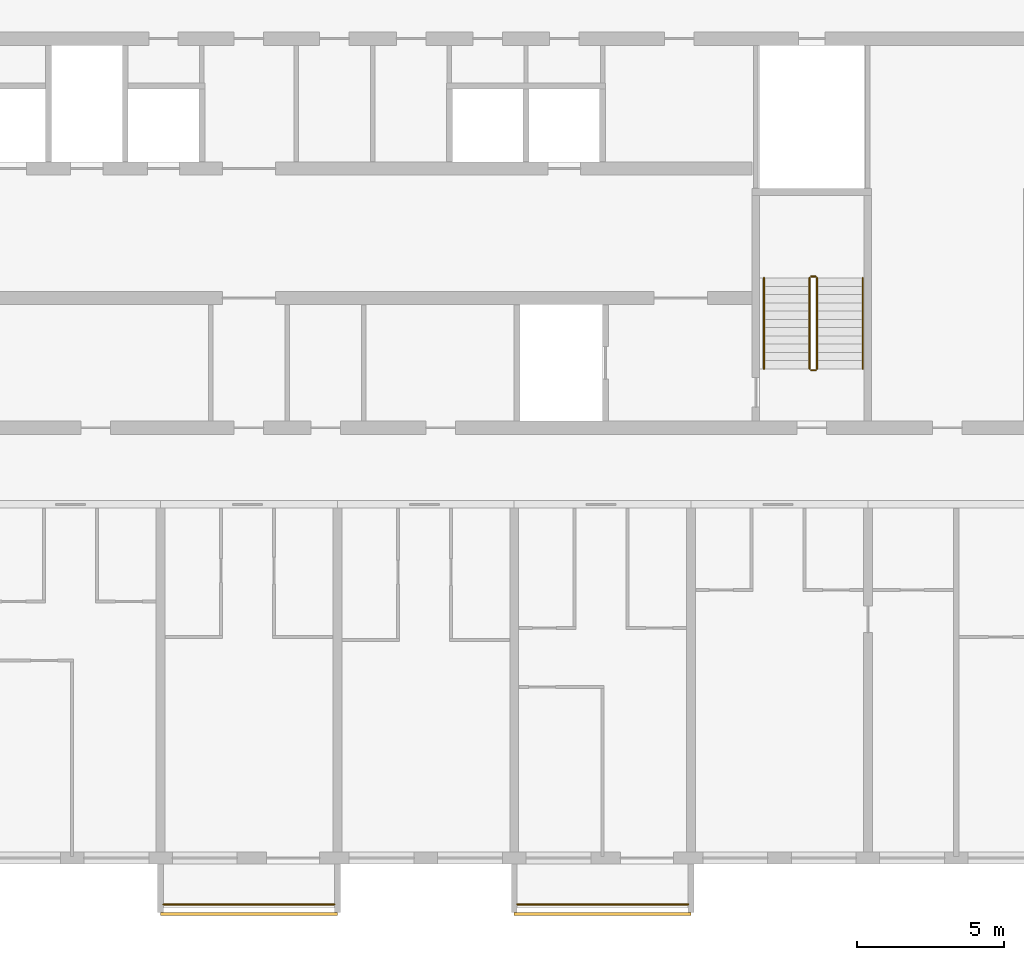
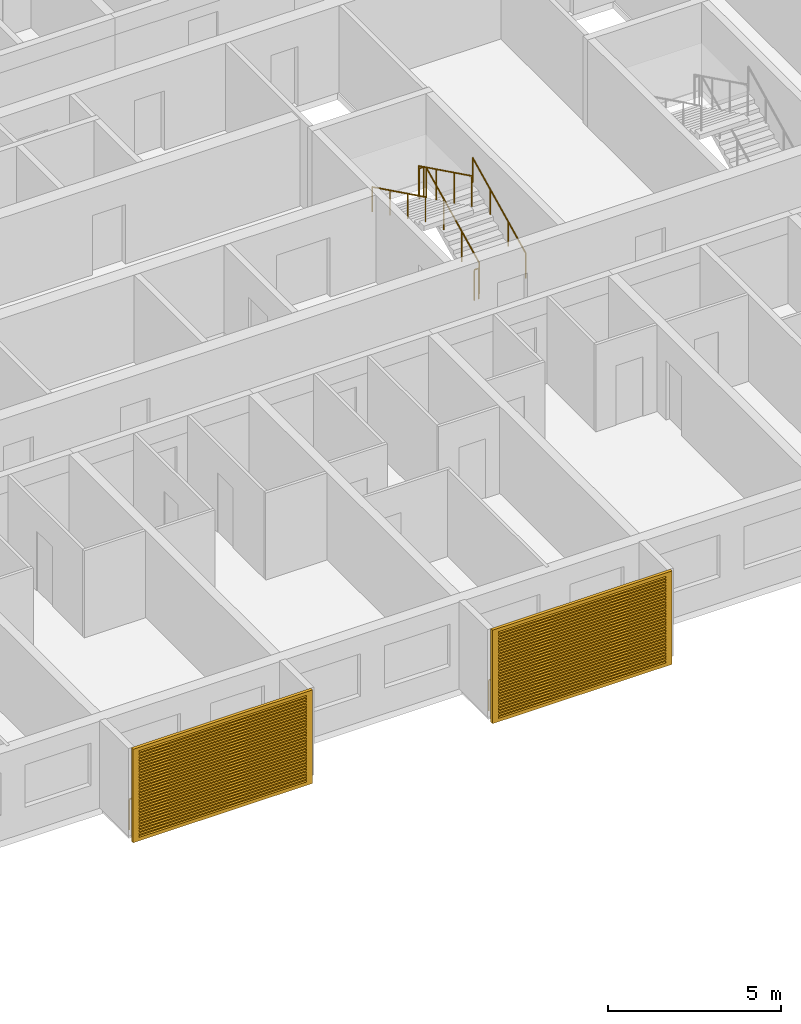
# One storey, part 15 of 31: 8 railings, 2 shading devices.
"""IFC4 building model written with IfcOpenShell, lengths in metres."""

from ifc_helpers import new_model, si_unit, direction, frame, origin, origin_2d, place, context, subcontext, project, spatial, polyline, circle, outline, extrude, source, transform, mapped, material, material_profile, profile_set, type_object, element, save


model = new_model("IFC4")

# Units and contexts
model_context = context("Model", 3, precision=1e-05, world=origin(), true_north=direction((0.0, 1.0)))
body_context = subcontext(model_context, "Body", "Model", "MODEL_VIEW")
ifc_project = project(units=[si_unit("LENGTHUNIT", "METRE"), si_unit("AREAUNIT", "SQUARE_METRE"), si_unit("VOLUMEUNIT", "CUBIC_METRE"), si_unit("PLANEANGLEUNIT", "RADIAN"), si_unit("MASSUNIT", "GRAM", prefix="KILO")], contexts=[model_context])

# Site, building, storey
site_placement = place(None, origin())
site = spatial("IfcSite", under=ifc_project, at=site_placement, CompositionType="ELEMENT")
building_placement = place(site_placement, origin())
building = spatial("IfcBuilding", under=site, at=building_placement, Name="Poui Terraces", CompositionType="ELEMENT")
storey_placement = place(building_placement, frame((0.0, 0.0, 142.199951171875)))
storey = spatial("IfcBuildingStorey", under=building, at=storey_placement, Name="L39", CompositionType="ELEMENT", Elevation=142.199951171875)

# Railings
ifc_material_1 = material(Name="Painted steel fretwork", Category="steel")
railing_type_1 = type_object("IfcRailingType", Name="BALCONY GUARD 1100", PredefinedType="GUARDRAIL", material=ifc_material_1)
for number, where, name in (
    (1, (48.10009765625, -1.570068359375, 0.0), "BALCONY GUARD"),
    (2, (60.10009765625, -1.570068359375, 0.0), "BALCONY GUARD"),
):
    element("IfcRailing", number, at=place(storey_placement, frame(where)), inside=storey, type_object=railing_type_1, Name=name, PredefinedType="GUARDRAIL", context=body_context, shape_type="SweptSolid", body=[
        extrude(circle(Radius=0.02392578125, at=origin_2d()), frame((0.0, 0.0, 1.076171875), z_axis=(1.0, 0.0, 0.0), x_axis=(0.0, 1.0, 0.0)), (0.0, 0.0, 1.0), 5.7998046875),
        extrude(circle(Radius=0.02099609375, at=origin_2d()), origin(), (0.0, 0.0, 1.0), 1.052001953125),
        extrude(circle(Radius=0.02099609375, at=origin_2d()), frame((0.966552734375, 0.0, 0.0)), (0.0, 0.0, 1.0), 1.052001953125),
        extrude(circle(Radius=0.02099609375, at=origin_2d()), frame((1.933349609375, 0.0, 0.0)), (0.0, 0.0, 1.0), 1.052001953125),
        extrude(circle(Radius=0.02099609375, at=origin_2d()), frame((2.89990234375, 0.0, 0.0)), (0.0, 0.0, 1.0), 1.052001953125),
        extrude(circle(Radius=0.02099609375, at=origin_2d()), frame((3.866455078125, 0.0, 0.0)), (0.0, 0.0, 1.0), 1.052001953125),
        extrude(circle(Radius=0.02099609375, at=origin_2d()), frame((4.833251953125, 0.0, 0.0)), (0.0, 0.0, 1.0), 1.052001953125),
        extrude(circle(Radius=0.02099609375, at=origin_2d()), frame((5.7998046875, 0.0, 0.0)), (0.0, 0.0, 1.0), 1.052001953125),
    ])
ifc_material_2 = material(Name="Galvanised steel balustrade", Category="steel")
railing_type_2 = type_object("IfcRailingType", Name="STAIR GUARD 1100", PredefinedType="GUARDRAIL", material=ifc_material_2)
railing_1_placement = place(storey_placement, frame((70.27490234375, 16.60009765625, 0.137451171875)))
element("IfcRailing", 3, at=railing_1_placement, inside=storey, type_object=railing_type_2, Name="L39 ST-CE stair guard 1", PredefinedType="GUARDRAIL", context=body_context, shape_type="SweptSolid", body=[
    extrude(circle(Radius=0.02392578125, at=origin_2d()), frame((0.0, 0.0, 1.076171875), z_axis=(0.0, 0.897578036475, 0.440855609512), x_axis=(-1.0, 0.0, 0.0)), (0.0, 0.0, 1.0), 3.43115234375),
    extrude(circle(Radius=0.02099609375, at=origin_2d()), origin(), (0.0, 0.0, 1.0), 1.052001953125),
    extrude(circle(Radius=0.02099609375, at=origin_2d()), frame((0.0, 1.026611328125, 0.504150390625)), (0.0, 0.0, 1.0), 1.052001953125),
    extrude(circle(Radius=0.02099609375, at=origin_2d()), frame((0.0, 2.05322265625, 1.008544921875)), (0.0, 0.0, 1.0), 1.052001953125),
    extrude(circle(Radius=0.02099609375, at=origin_2d()), frame((0.0, 3.079833984375, 1.5126953125)), (0.0, 0.0, 1.0), 1.052001953125),
])
railing_2_placement = place(storey_placement, frame((70.22509765625, 19.72998046875, 1.650146484375)))
element("IfcRailing", 4, at=railing_2_placement, inside=storey, type_object=railing_type_2, Name="L39 ST-CE stair guard 2", PredefinedType="GUARDRAIL", context=body_context, shape_type="SweptSolid", body=[
    extrude(circle(Radius=0.02392578125, at=origin_2d()), frame((0.0, 0.0, 1.076171875), z_axis=(-1.0, 0.0, 0.0), x_axis=(0.0, -1.0, 0.0)), (0.0, 0.0, 1.0), 0.150146484375),
    extrude(circle(Radius=0.02099609375, at=origin_2d()), origin(), (0.0, 0.0, 1.0), 1.052001953125),
    extrude(circle(Radius=0.02099609375, at=origin_2d()), frame((-0.150146484375, 0.0, 0.0)), (0.0, 0.0, 1.0), 1.052001953125),
])
railing_3_placement = place(storey_placement, frame((70.02490234375, 19.679931640625, 1.78759765625)))
element("IfcRailing", 5, at=railing_3_placement, inside=storey, type_object=railing_type_2, Name="L39 ST-CE stair guard 3", PredefinedType="GUARDRAIL", context=body_context, shape_type="SweptSolid", body=[
    extrude(circle(Radius=0.02392578125, at=origin_2d()), frame((0.0, 0.0, 1.076171875), z_axis=(0.0, -0.897606190399, 0.440798283751), x_axis=(1.0, 0.0, 0.0)), (0.0, 0.0, 1.0), 3.43115234375),
    extrude(circle(Radius=0.02099609375, at=origin_2d()), origin(), (0.0, 0.0, 1.0), 1.052001953125),
    extrude(circle(Radius=0.02099609375, at=origin_2d()), frame((0.0, -1.026611328125, 0.504150390625)), (0.0, 0.0, 1.0), 1.052001953125),
    extrude(circle(Radius=0.02099609375, at=origin_2d()), frame((0.0, -2.05322265625, 1.00830078125)), (0.0, 0.0, 1.0), 1.052001953125),
    extrude(circle(Radius=0.02099609375, at=origin_2d()), frame((0.0, -3.079833984375, 1.512451171875)), (0.0, 0.0, 1.0), 1.052001953125),
])
railing_4_placement = place(storey_placement, frame((70.22509765625, 16.550048828125, 0.0)))
element("IfcRailing", 6, at=railing_4_placement, inside=storey, type_object=railing_type_2, Name="L39 ST-CE stair guard 4", PredefinedType="GUARDRAIL", context=body_context, shape_type="SweptSolid", body=[
    extrude(circle(Radius=0.02392578125, at=origin_2d()), frame((0.0, 0.0, 1.076171875), z_axis=(-1.0, 0.0, 0.0), x_axis=(0.0, -1.0, 0.0)), (0.0, 0.0, 1.0), 0.150146484375),
    extrude(circle(Radius=0.02099609375, at=origin_2d()), origin(), (0.0, 0.0, 1.0), 1.052001953125),
    extrude(circle(Radius=0.02099609375, at=origin_2d()), frame((-0.150146484375, 0.0, 0.0)), (0.0, 0.0, 1.0), 1.052001953125),
])
ifc_material_3 = material(Name="Stainless steel handrail", Category="steel")
railing_type_3 = type_object("IfcRailingType", Name="STAIR HANDRAIL 900", PredefinedType="HANDRAIL", material=ifc_material_3)
railing_5_placement = place(storey_placement, frame((71.824951171875, 16.60009765625, 0.137451171875)))
element("IfcRailing", 7, at=railing_5_placement, inside=storey, type_object=railing_type_3, Name="L39 ST-CE stair handrail 1", PredefinedType="HANDRAIL", context=body_context, shape_type="SweptSolid", body=[
    extrude(circle(Radius=0.02392578125, at=origin_2d()), frame((0.0, 0.0, 0.8759765625), z_axis=(0.0, 0.897578036475, 0.440855609512), x_axis=(-1.0, 0.0, 0.0)), (0.0, 0.0, 1.0), 3.43115234375),
    extrude(circle(Radius=0.02099609375, at=origin_2d()), origin(), (0.0, 0.0, 1.0), 0.851806640625),
    extrude(circle(Radius=0.02099609375, at=origin_2d()), frame((0.0, 1.026611328125, 0.504150390625)), (0.0, 0.0, 1.0), 0.851806640625),
    extrude(circle(Radius=0.02099609375, at=origin_2d()), frame((0.0, 2.05322265625, 1.008544921875)), (0.0, 0.0, 1.0), 0.851806640625),
    extrude(circle(Radius=0.02099609375, at=origin_2d()), frame((0.0, 3.079833984375, 1.5126953125)), (0.0, 0.0, 1.0), 0.851806640625),
])
railing_6_placement = place(storey_placement, frame((68.47509765625, 19.679931640625, 1.78759765625)))
element("IfcRailing", 8, at=railing_6_placement, inside=storey, type_object=railing_type_3, Name="L39 ST-CE stair handrail 2", PredefinedType="HANDRAIL", context=body_context, shape_type="SweptSolid", body=[
    extrude(circle(Radius=0.02392578125, at=origin_2d()), frame((0.0, 0.0, 0.8759765625), z_axis=(0.0, -0.897606190399, 0.440798283751), x_axis=(1.0, 0.0, 0.0)), (0.0, 0.0, 1.0), 3.43115234375),
    extrude(circle(Radius=0.02099609375, at=origin_2d()), origin(), (0.0, 0.0, 1.0), 0.851806640625),
    extrude(circle(Radius=0.02099609375, at=origin_2d()), frame((0.0, -1.026611328125, 0.504150390625)), (0.0, 0.0, 1.0), 0.851806640625),
    extrude(circle(Radius=0.02099609375, at=origin_2d()), frame((0.0, -2.05322265625, 1.00830078125)), (0.0, 0.0, 1.0), 0.851806640625),
    extrude(circle(Radius=0.02099609375, at=origin_2d()), frame((0.0, -3.079833984375, 1.512451171875)), (0.0, 0.0, 1.0), 0.851806640625),
])

# Shading devices
ifc_material_4 = material(Name="Aluminium louvre", Category="aluminium")
ifc_material_profile = material_profile(ifc_material_4, outline(polyline([(-3.0, -1.64990234375), (3.0, -1.64990234375), (3.0, 1.64990234375), (-3.0, 1.64990234375), (-3.0, -1.64990234375)]), holes=[polyline([(-2.800048828125, -1.530029296875), (2.800048828125, -1.530029296875), (2.800048828125, -1.469970703125), (-2.800048828125, -1.469970703125), (-2.800048828125, -1.530029296875)]), polyline([(-2.800048828125, -1.429931640625), (2.800048828125, -1.429931640625), (2.800048828125, -1.3701171875), (-2.800048828125, -1.3701171875), (-2.800048828125, -1.429931640625)]), polyline([(-2.800048828125, -1.330078125), (2.800048828125, -1.330078125), (2.800048828125, -1.27001953125), (-2.800048828125, -1.27001953125), (-2.800048828125, -1.330078125)]), polyline([(-2.800048828125, -1.22998046875), (2.800048828125, -1.22998046875), (2.800048828125, -1.169921875), (-2.800048828125, -1.169921875), (-2.800048828125, -1.22998046875)]), polyline([(-2.800048828125, -1.1298828125), (2.800048828125, -1.1298828125), (2.800048828125, -1.070068359375), (-2.800048828125, -1.070068359375), (-2.800048828125, -1.1298828125)]), polyline([(-2.800048828125, -1.030029296875), (2.800048828125, -1.030029296875), (2.800048828125, -0.969970703125), (-2.800048828125, -0.969970703125), (-2.800048828125, -1.030029296875)]), polyline([(-2.800048828125, -0.929931640625), (2.800048828125, -0.929931640625), (2.800048828125, -0.8701171875), (-2.800048828125, -0.8701171875), (-2.800048828125, -0.929931640625)]), polyline([(-2.800048828125, -0.830078125), (2.800048828125, -0.830078125), (2.800048828125, -0.77001953125), (-2.800048828125, -0.77001953125), (-2.800048828125, -0.830078125)]), polyline([(-2.800048828125, -0.72998046875), (2.800048828125, -0.72998046875), (2.800048828125, -0.669921875), (-2.800048828125, -0.669921875), (-2.800048828125, -0.72998046875)]), polyline([(-2.800048828125, -0.6298828125), (2.800048828125, -0.6298828125), (2.800048828125, -0.570068359375), (-2.800048828125, -0.570068359375), (-2.800048828125, -0.6298828125)]), polyline([(-2.800048828125, -0.530029296875), (2.800048828125, -0.530029296875), (2.800048828125, -0.469970703125), (-2.800048828125, -0.469970703125), (-2.800048828125, -0.530029296875)]), polyline([(-2.800048828125, -0.429931640625), (2.800048828125, -0.429931640625), (2.800048828125, -0.3701171875), (-2.800048828125, -0.3701171875), (-2.800048828125, -0.429931640625)]), polyline([(-2.800048828125, -0.330078125), (2.800048828125, -0.330078125), (2.800048828125, -0.27001953125), (-2.800048828125, -0.27001953125), (-2.800048828125, -0.330078125)]), polyline([(-2.800048828125, -0.22998046875), (2.800048828125, -0.22998046875), (2.800048828125, -0.169921875), (-2.800048828125, -0.169921875), (-2.800048828125, -0.22998046875)]), polyline([(-2.800048828125, -0.1298828125), (2.800048828125, -0.1298828125), (2.800048828125, -0.070068359375), (-2.800048828125, -0.070068359375), (-2.800048828125, -0.1298828125)]), polyline([(-2.800048828125, -0.030029296875), (2.800048828125, -0.030029296875), (2.800048828125, 0.030029296875), (-2.800048828125, 0.030029296875), (-2.800048828125, -0.030029296875)]), polyline([(-2.800048828125, 0.070068359375), (2.800048828125, 0.070068359375), (2.800048828125, 0.1298828125), (-2.800048828125, 0.1298828125), (-2.800048828125, 0.070068359375)]), polyline([(-2.800048828125, 0.169921875), (2.800048828125, 0.169921875), (2.800048828125, 0.22998046875), (-2.800048828125, 0.22998046875), (-2.800048828125, 0.169921875)]), polyline([(-2.800048828125, 0.27001953125), (2.800048828125, 0.27001953125), (2.800048828125, 0.330078125), (-2.800048828125, 0.330078125), (-2.800048828125, 0.27001953125)]), polyline([(-2.800048828125, 0.3701171875), (2.800048828125, 0.3701171875), (2.800048828125, 0.429931640625), (-2.800048828125, 0.429931640625), (-2.800048828125, 0.3701171875)]), polyline([(-2.800048828125, 0.469970703125), (2.800048828125, 0.469970703125), (2.800048828125, 0.530029296875), (-2.800048828125, 0.530029296875), (-2.800048828125, 0.469970703125)]), polyline([(-2.800048828125, 0.570068359375), (2.800048828125, 0.570068359375), (2.800048828125, 0.6298828125), (-2.800048828125, 0.6298828125), (-2.800048828125, 0.570068359375)]), polyline([(-2.800048828125, 0.669921875), (2.800048828125, 0.669921875), (2.800048828125, 0.72998046875), (-2.800048828125, 0.72998046875), (-2.800048828125, 0.669921875)]), polyline([(-2.800048828125, 0.77001953125), (2.800048828125, 0.77001953125), (2.800048828125, 0.830078125), (-2.800048828125, 0.830078125), (-2.800048828125, 0.77001953125)]), polyline([(-2.800048828125, 0.8701171875), (2.800048828125, 0.8701171875), (2.800048828125, 0.929931640625), (-2.800048828125, 0.929931640625), (-2.800048828125, 0.8701171875)]), polyline([(-2.800048828125, 0.969970703125), (2.800048828125, 0.969970703125), (2.800048828125, 1.030029296875), (-2.800048828125, 1.030029296875), (-2.800048828125, 0.969970703125)]), polyline([(-2.800048828125, 1.070068359375), (2.800048828125, 1.070068359375), (2.800048828125, 1.1298828125), (-2.800048828125, 1.1298828125), (-2.800048828125, 1.070068359375)]), polyline([(-2.800048828125, 1.169921875), (2.800048828125, 1.169921875), (2.800048828125, 1.22998046875), (-2.800048828125, 1.22998046875), (-2.800048828125, 1.169921875)]), polyline([(-2.800048828125, 1.27001953125), (2.800048828125, 1.27001953125), (2.800048828125, 1.330078125), (-2.800048828125, 1.330078125), (-2.800048828125, 1.27001953125)]), polyline([(-2.800048828125, 1.3701171875), (2.800048828125, 1.3701171875), (2.800048828125, 1.429931640625), (-2.800048828125, 1.429931640625), (-2.800048828125, 1.3701171875)]), polyline([(-2.800048828125, 1.469970703125), (2.800048828125, 1.469970703125), (2.800048828125, 1.530029296875), (-2.800048828125, 1.530029296875), (-2.800048828125, 1.469970703125)])]), Name="JALOUSIE LOUVRE SHUTTER 6000X3300")
ifc_profile_set = profile_set([ifc_material_profile], Name="Aluminium louvre")
shading_device_type = type_object("IfcShadingDeviceType", Name="JALOUSIE LOUVRE SHUTTER 6000X3300", PredefinedType="JALOUSIE", material=ifc_profile_set)
shared_shape = source(origin(), body_context, "Body", "SweptSolid", [
    extrude(outline(polyline([(-3.0, -1.64990234375), (3.0, -1.64990234375), (3.0, 1.64990234375), (-3.0, 1.64990234375), (-3.0, -1.64990234375)]), holes=[polyline([(-2.800048828125, -1.530029296875), (2.800048828125, -1.530029296875), (2.800048828125, -1.469970703125), (-2.800048828125, -1.469970703125), (-2.800048828125, -1.530029296875)]), polyline([(-2.800048828125, -1.429931640625), (2.800048828125, -1.429931640625), (2.800048828125, -1.3701171875), (-2.800048828125, -1.3701171875), (-2.800048828125, -1.429931640625)]), polyline([(-2.800048828125, -1.330078125), (2.800048828125, -1.330078125), (2.800048828125, -1.27001953125), (-2.800048828125, -1.27001953125), (-2.800048828125, -1.330078125)]), polyline([(-2.800048828125, -1.22998046875), (2.800048828125, -1.22998046875), (2.800048828125, -1.169921875), (-2.800048828125, -1.169921875), (-2.800048828125, -1.22998046875)]), polyline([(-2.800048828125, -1.1298828125), (2.800048828125, -1.1298828125), (2.800048828125, -1.070068359375), (-2.800048828125, -1.070068359375), (-2.800048828125, -1.1298828125)]), polyline([(-2.800048828125, -1.030029296875), (2.800048828125, -1.030029296875), (2.800048828125, -0.969970703125), (-2.800048828125, -0.969970703125), (-2.800048828125, -1.030029296875)]), polyline([(-2.800048828125, -0.929931640625), (2.800048828125, -0.929931640625), (2.800048828125, -0.8701171875), (-2.800048828125, -0.8701171875), (-2.800048828125, -0.929931640625)]), polyline([(-2.800048828125, -0.830078125), (2.800048828125, -0.830078125), (2.800048828125, -0.77001953125), (-2.800048828125, -0.77001953125), (-2.800048828125, -0.830078125)]), polyline([(-2.800048828125, -0.72998046875), (2.800048828125, -0.72998046875), (2.800048828125, -0.669921875), (-2.800048828125, -0.669921875), (-2.800048828125, -0.72998046875)]), polyline([(-2.800048828125, -0.6298828125), (2.800048828125, -0.6298828125), (2.800048828125, -0.570068359375), (-2.800048828125, -0.570068359375), (-2.800048828125, -0.6298828125)]), polyline([(-2.800048828125, -0.530029296875), (2.800048828125, -0.530029296875), (2.800048828125, -0.469970703125), (-2.800048828125, -0.469970703125), (-2.800048828125, -0.530029296875)]), polyline([(-2.800048828125, -0.429931640625), (2.800048828125, -0.429931640625), (2.800048828125, -0.3701171875), (-2.800048828125, -0.3701171875), (-2.800048828125, -0.429931640625)]), polyline([(-2.800048828125, -0.330078125), (2.800048828125, -0.330078125), (2.800048828125, -0.27001953125), (-2.800048828125, -0.27001953125), (-2.800048828125, -0.330078125)]), polyline([(-2.800048828125, -0.22998046875), (2.800048828125, -0.22998046875), (2.800048828125, -0.169921875), (-2.800048828125, -0.169921875), (-2.800048828125, -0.22998046875)]), polyline([(-2.800048828125, -0.1298828125), (2.800048828125, -0.1298828125), (2.800048828125, -0.070068359375), (-2.800048828125, -0.070068359375), (-2.800048828125, -0.1298828125)]), polyline([(-2.800048828125, -0.030029296875), (2.800048828125, -0.030029296875), (2.800048828125, 0.030029296875), (-2.800048828125, 0.030029296875), (-2.800048828125, -0.030029296875)]), polyline([(-2.800048828125, 0.070068359375), (2.800048828125, 0.070068359375), (2.800048828125, 0.1298828125), (-2.800048828125, 0.1298828125), (-2.800048828125, 0.070068359375)]), polyline([(-2.800048828125, 0.169921875), (2.800048828125, 0.169921875), (2.800048828125, 0.22998046875), (-2.800048828125, 0.22998046875), (-2.800048828125, 0.169921875)]), polyline([(-2.800048828125, 0.27001953125), (2.800048828125, 0.27001953125), (2.800048828125, 0.330078125), (-2.800048828125, 0.330078125), (-2.800048828125, 0.27001953125)]), polyline([(-2.800048828125, 0.3701171875), (2.800048828125, 0.3701171875), (2.800048828125, 0.429931640625), (-2.800048828125, 0.429931640625), (-2.800048828125, 0.3701171875)]), polyline([(-2.800048828125, 0.469970703125), (2.800048828125, 0.469970703125), (2.800048828125, 0.530029296875), (-2.800048828125, 0.530029296875), (-2.800048828125, 0.469970703125)]), polyline([(-2.800048828125, 0.570068359375), (2.800048828125, 0.570068359375), (2.800048828125, 0.6298828125), (-2.800048828125, 0.6298828125), (-2.800048828125, 0.570068359375)]), polyline([(-2.800048828125, 0.669921875), (2.800048828125, 0.669921875), (2.800048828125, 0.72998046875), (-2.800048828125, 0.72998046875), (-2.800048828125, 0.669921875)]), polyline([(-2.800048828125, 0.77001953125), (2.800048828125, 0.77001953125), (2.800048828125, 0.830078125), (-2.800048828125, 0.830078125), (-2.800048828125, 0.77001953125)]), polyline([(-2.800048828125, 0.8701171875), (2.800048828125, 0.8701171875), (2.800048828125, 0.929931640625), (-2.800048828125, 0.929931640625), (-2.800048828125, 0.8701171875)]), polyline([(-2.800048828125, 0.969970703125), (2.800048828125, 0.969970703125), (2.800048828125, 1.030029296875), (-2.800048828125, 1.030029296875), (-2.800048828125, 0.969970703125)]), polyline([(-2.800048828125, 1.070068359375), (2.800048828125, 1.070068359375), (2.800048828125, 1.1298828125), (-2.800048828125, 1.1298828125), (-2.800048828125, 1.070068359375)]), polyline([(-2.800048828125, 1.169921875), (2.800048828125, 1.169921875), (2.800048828125, 1.22998046875), (-2.800048828125, 1.22998046875), (-2.800048828125, 1.169921875)]), polyline([(-2.800048828125, 1.27001953125), (2.800048828125, 1.27001953125), (2.800048828125, 1.330078125), (-2.800048828125, 1.330078125), (-2.800048828125, 1.27001953125)]), polyline([(-2.800048828125, 1.3701171875), (2.800048828125, 1.3701171875), (2.800048828125, 1.429931640625), (-2.800048828125, 1.429931640625), (-2.800048828125, 1.3701171875)]), polyline([(-2.800048828125, 1.469970703125), (2.800048828125, 1.469970703125), (2.800048828125, 1.530029296875), (-2.800048828125, 1.530029296875), (-2.800048828125, 1.469970703125)])]), origin(), (0.0, 0.0, 1.0), 0.099853515625),
])
for number, where, z_axis, x_axis, name in (
    (9, (51.0, -1.85009765625, 1.449951171875), (0.0, -1.0, 0.0), (1.0, 0.0, 0.0), "JALOUSIE LOUVRE SHUTTER"),
    (10, (63.0, -1.85009765625, 1.449951171875), (0.0, -1.0, 0.0), (1.0, 0.0, 0.0), "JALOUSIE LOUVRE SHUTTER"),
):
    element("IfcShadingDevice", number, at=place(storey_placement, frame(where, z_axis=z_axis, x_axis=x_axis)), inside=storey, type_object=shading_device_type, Name=name, PredefinedType="JALOUSIE", context=body_context, shape_type="MappedRepresentation", body=[
        mapped(shared_shape, transform((0.0, 0.0, 0.0))),
    ])

save(model, "model.ifc")
